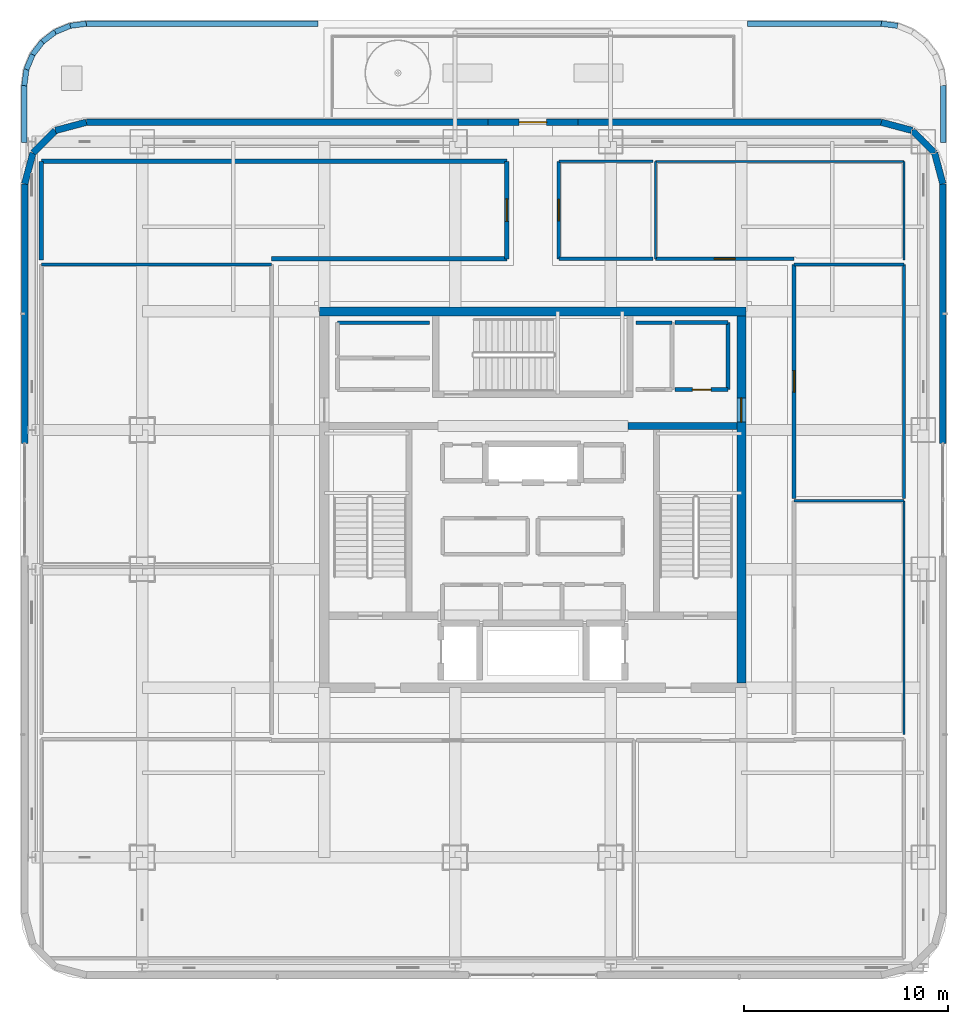
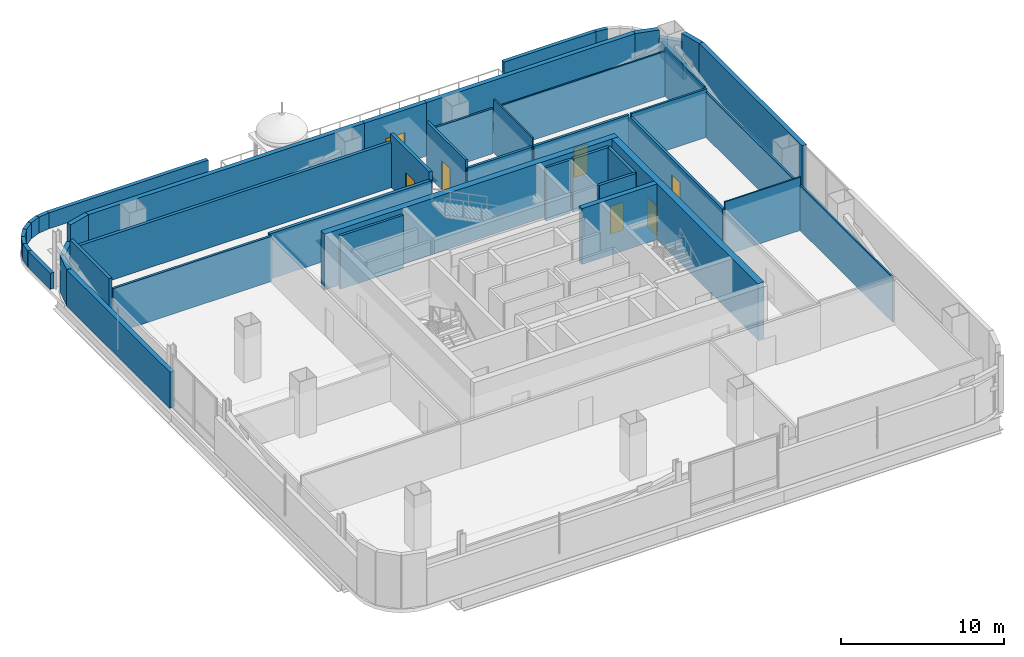
# One storey, part 14 of 28: 47 walls, 7 doors, 7 openings.
"""IFC4 building model written with IfcOpenShell, lengths in metres."""

import ifcopenshell
import ifcopenshell.guid

model = None  # the IFC model being written
_history = None  # IfcOwnerHistory: only IFC2X3 demands one
_inside = {}  # id of a spatial element -> (the spatial element, [elements in it])
_under = {}  # id of a project, library or spatial element -> (it, [spatial elements below it])
_declared = {}  # id of a project -> (the project, [libraries it declares])
_typed = {}  # id of a type object -> (the type object, [elements of that type])
_made_of = {}  # id of a material, layer set ... -> (it, [elements and type objects made of it])


def new_model(schema):
    """Start an empty IFC model of exactly this schema.

    Asked for "IFC4X3", IfcOpenShell would pick the latest addendum, in which some entities
    have other attributes; the version numbers below select the first issue.
    IFC2X3 requires an IfcOwnerHistory on every rooted entity: one is made here for all.
    """
    global model, _history
    if schema == "IFC4X3":
        model = ifcopenshell.file(schema_version=(4, 3, 0, 0))
    else:
        model = ifcopenshell.file(schema=schema)
    _inside.clear()
    _under.clear()
    _declared.clear()
    _typed.clear()
    _made_of.clear()
    _history = None
    if model.schema == "IFC2X3":
        org = make("IfcOrganization", Name="unknown")
        user = make(
            "IfcPersonAndOrganization",
            ThePerson=make("IfcPerson", FamilyName="unknown"),
            TheOrganization=org,
        )
        app = make(
            "IfcApplication",
            ApplicationDeveloper=org,
            Version="unknown",
            ApplicationFullName="unknown",
            ApplicationIdentifier="unknown",
        )
        _history = make(
            "IfcOwnerHistory",
            OwningUser=user,
            OwningApplication=app,
            ChangeAction="ADDED",
            CreationDate=0,
        )
    return model


def make(cls, **values):
    """One entity of the class cls with the attributes given. An attribute that is None is left unset."""
    return model.create_entity(
        cls, **{name: value for name, value in values.items() if value is not None}
    )


def rooted(cls, **values):
    """An entity with a GlobalId (a new one), such as an element, a storey or a relation."""
    return make(cls, GlobalId=ifcopenshell.guid.new(), OwnerHistory=_history, **values)


def si_unit(unit_type, name, prefix=None):
    """IfcSIUnit, for example si_unit("LENGTHUNIT", "METRE", prefix="MILLI")."""
    return make("IfcSIUnit", UnitType=unit_type, Prefix=prefix, Name=name)


def assignment(units):
    """IfcUnitAssignment: the units of a project."""
    return None if units is None else make("IfcUnitAssignment", Units=units)


def point(xyz):
    """IfcCartesianPoint."""
    return None if xyz is None else make("IfcCartesianPoint", Coordinates=xyz)


def direction(xyz):
    """IfcDirection."""
    return None if xyz is None else make("IfcDirection", DirectionRatios=xyz)


def frame(location, z_axis=None, x_axis=None):
    """IfcAxis2Placement3D, a coordinate frame: its origin and axes. An axis left out is left unset."""
    return make(
        "IfcAxis2Placement3D",
        Location=point(location),
        Axis=direction(z_axis),
        RefDirection=direction(x_axis),
    )


def frame_2d(location, x_axis=None):
    """IfcAxis2Placement2D, a coordinate frame in the plane: its origin and x axis."""
    return make(
        "IfcAxis2Placement2D", Location=point(location), RefDirection=direction(x_axis)
    )


def origin():
    """The frame at (0, 0, 0) with its axes left unset."""
    return frame((0.0, 0.0, 0.0))


def place(relative_to, where):
    """IfcLocalPlacement: puts the frame where relative to a parent placement (None: the world)."""
    return make(
        "IfcLocalPlacement", PlacementRelTo=relative_to, RelativePlacement=where
    )


def context(
    kind, dimensions, precision=None, world=None, true_north=None, identifier=None
):
    """IfcGeometricRepresentationContext, for example the 3D "Model" context."""
    return make(
        "IfcGeometricRepresentationContext",
        ContextIdentifier=identifier,
        ContextType=kind,
        CoordinateSpaceDimension=dimensions,
        Precision=precision,
        WorldCoordinateSystem=world,
        TrueNorth=true_north,
    )


def subcontext(parent, identifier, kind, view, scale=None):
    """IfcGeometricRepresentationSubContext, for example "Body" below "Model"."""
    return make(
        "IfcGeometricRepresentationSubContext",
        ContextIdentifier=identifier,
        ContextType=kind,
        ParentContext=parent,
        TargetScale=scale,
        TargetView=view,
    )


def project(units=None, contexts=None):
    """IfcProject with its units and contexts."""
    return rooted(
        "IfcProject",
        Name="project",
        RepresentationContexts=contexts,
        UnitsInContext=assignment(units),
    )


def spatial(cls, under=None, at=None, **own):
    """A site, building, storey or space (cls), placed at a placement, below another one or the project."""
    s = rooted(cls, ObjectPlacement=at, **own)
    if under is not None:
        _under.setdefault(under.id(), (under, []))[1].append(s)
    return s


def profile(cls, at=None, kind="AREA", **sizes):
    """A parametric profile (cls). Its sizes go by their IFC names, for example OverallWidth=200.0."""
    return make(cls, ProfileType=kind, Position=at, **sizes)


def rectangle(**sizes):
    """IfcRectangleProfileDef."""
    return profile("IfcRectangleProfileDef", **sizes)


def extrude(swept, where, along, depth):
    """IfcExtrudedAreaSolid: the profile swept, set in the frame where, extruded along a direction by depth."""
    return make(
        "IfcExtrudedAreaSolid",
        SweptArea=swept,
        Position=where,
        ExtrudedDirection=direction(along),
        Depth=depth,
    )


def shape(context_of_items, identifier, shape_type, items):
    """IfcShapeRepresentation: the items that make up one representation, for example the "Body"."""
    return make(
        "IfcShapeRepresentation",
        ContextOfItems=context_of_items,
        RepresentationIdentifier=identifier,
        RepresentationType=shape_type,
        Items=items,
    )


def material(Name=None, Category=None):
    """IfcMaterial."""
    return make("IfcMaterial", Name=Name, Category=Category)


def layer(
    of_material, thickness, ventilated=None, Name=None, Category=None, Priority=None
):
    """IfcMaterialLayer: one layer of a wall or slab, of a material (None: an air gap)."""
    return make(
        "IfcMaterialLayer",
        Material=of_material,
        LayerThickness=thickness,
        IsVentilated=ventilated,
        Name=Name,
        Category=Category,
        Priority=Priority,
    )


def layer_set(layers, Name=None):
    """IfcMaterialLayerSet."""
    return make("IfcMaterialLayerSet", MaterialLayers=layers, LayerSetName=Name)


def made_of(thing, what):
    """Note that an element or type object is made of a material, layer set ...; save() writes the relation."""
    if what is not None:
        _made_of.setdefault(what.id(), (what, []))[1].append(thing)
    return thing


def type_object(cls, material=None, **own):
    """A type object (cls), such as IfcWallType, which elements share."""
    return made_of(rooted(cls, **own), material)


def element(
    cls,
    number,
    at=None,
    inside=None,
    cuts=None,
    type_object=None,
    material=None,
    context=None,
    identifier="Body",
    shape_type=None,
    held_by="IfcProductDefinitionShape",
    body=None,
    shapes=None,
    **own,
):
    """One element of the class cls, such as IfcWall. Its Tag is "e" and its number.

    at: its placement. inside: the storey or other place that contains it. cuts: it is an
    opening in that element (IfcRelVoidsElement). A single representation is given by context,
    identifier, shape_type and body (its items); several are given by shapes. held_by: the class
    of the entity that holds the representations. save() writes the other relations.
    """
    e = rooted(cls, Tag="e%d" % number, ObjectPlacement=at, **own)
    if body is not None:
        shapes = [shape(context, identifier, shape_type, body)]
    if shapes is not None:
        e.Representation = make(held_by, Representations=shapes)
    if inside is not None:
        _inside.setdefault(inside.id(), (inside, []))[1].append(e)
    if cuts is not None:
        rooted(
            "IfcRelVoidsElement", RelatingBuildingElement=cuts, RelatedOpeningElement=e
        )
    if type_object is not None:
        _typed.setdefault(type_object.id(), (type_object, []))[1].append(e)
    return made_of(e, material)


def fill(opening, filler):
    """IfcRelFillsElement: the door or window that sits in an opening."""
    return rooted(
        "IfcRelFillsElement",
        RelatingOpeningElement=opening,
        RelatedBuildingElement=filler,
    )


def aggregate(whole, parts):
    """IfcRelAggregates: a whole, such as a stair, and the parts it consists of."""
    return rooted("IfcRelAggregates", RelatingObject=whole, RelatedObjects=parts)


def save(model, path):
    """Write the relations noted so far, then the file.

    IfcRelAggregates (storeys below a building ...), IfcRelContainedInSpatialStructure (elements
    in a storey), IfcRelDefinesByType, IfcRelAssociatesMaterial and IfcRelDeclares: one each for
    every whole, place, type object, material and project.
    """
    for whole, parts in _under.values():
        aggregate(whole, parts)
    for where, things in _inside.values():
        rooted(
            "IfcRelContainedInSpatialStructure",
            RelatedElements=things,
            RelatingStructure=where,
        )
    for kind, things in _typed.values():
        rooted("IfcRelDefinesByType", RelatedObjects=things, RelatingType=kind)
    for what, things in _made_of.values():
        rooted("IfcRelAssociatesMaterial", RelatedObjects=things, RelatingMaterial=what)
    for by, libraries in _declared.values():
        rooted("IfcRelDeclares", RelatingContext=by, RelatedDefinitions=libraries)
    model.write(path)


model = new_model("IFC4")

# Units and contexts
model_context = context("Model", 3, precision=1e-05, world=origin(), true_north=direction((0.0, 1.0)))
body_context = subcontext(model_context, "Body", "Model", "MODEL_VIEW")
ifc_project = project(units=[si_unit("LENGTHUNIT", "METRE"), si_unit("AREAUNIT", "SQUARE_METRE"), si_unit("VOLUMEUNIT", "CUBIC_METRE"), si_unit("PLANEANGLEUNIT", "RADIAN"), si_unit("MASSUNIT", "GRAM", prefix="KILO")], contexts=[model_context])

# Site, building, storey
site_placement = place(None, origin())
site = spatial("IfcSite", under=ifc_project, at=site_placement, CompositionType="ELEMENT")
building_placement = place(site_placement, origin())
building = spatial("IfcBuilding", under=site, at=building_placement, Name="Punatoya Terracotta Tower", CompositionType="ELEMENT")
storey_placement = place(building_placement, frame((0.0, 0.0, 317.39990234375)))
storey = spatial("IfcBuildingStorey", under=building, at=storey_placement, Name="L75", CompositionType="ELEMENT", Elevation=317.39990234375)

# Wall
ifc_material_1 = material(Name="Concrete C50/60", Category="concrete")
ifc_layer_1 = layer(ifc_material_1, 0.449951171875)
ifc_layer_set_1 = layer_set([ifc_layer_1], Name="Concrete C50/60")
wall_type_1 = type_object("IfcWallType", Name="WL-COR-450", PredefinedType="SHEAR", material=ifc_layer_set_1)
wall_1_placement = place(storey_placement, frame((-10.425048828125, 9.199951171875, 0.0), z_axis=(0.0, 0.0, 1.0), x_axis=(1.0, 0.0, 0.0)))
element("IfcWall", 1, at=wall_1_placement, inside=storey, type_object=wall_type_1, Name="L75 Core Shear Wall N", PredefinedType="SHEAR", context=body_context, shape_type="SweptSolid", body=[
    extrude(rectangle(XDim=20.85009765625, YDim=0.449951171875, at=frame_2d((10.425048828125, 0.0))), origin(), (0.0, 0.0, 1.0), 4.2001953125),
])

# Wall, opening, door
wall_2_placement = place(storey_placement, frame((10.199951171875, 8.97509765625, 0.0), z_axis=(0.0, 0.0, 1.0), x_axis=(0.0, -1.0, 0.0)))
wall_2 = element("IfcWall", 2, at=wall_2_placement, inside=storey, type_object=wall_type_1, Name="L75 Core Shear Wall E", PredefinedType="SHEAR", context=body_context, shape_type="SweptSolid", body=[
    extrude(rectangle(XDim=17.9501953125, YDim=0.449951171875, at=frame_2d((8.97509765625, 0.0))), origin(), (0.0, 0.0, 1.0), 4.2001953125),
])
opening_1_placement = place(wall_2_placement, frame((4.0048828125, 0.0, 0.0)))
opening_1 = element("IfcOpeningElement", 3, at=opening_1_placement, cuts=wall_2, Name="Opening SD-01", PredefinedType="OPENING", context=body_context, shape_type="SweptSolid", body=[
    extrude(rectangle(XDim=1.179931640625, YDim=2.199951171875, at=frame_2d((0.58984375, 1.10009765625))), frame((0.0, 0.23486328125, 0.0), z_axis=(0.0, -1.0, 0.0), x_axis=(1.0, 0.0, 0.0)), (0.0, 0.0, 1.0), 0.469970703125),
])
ifc_material_2 = material(Name="Galvanised Steel Pressurized Stair Fire Door", Category="steel")
door_type_1 = type_object("IfcDoorType", Name="DR-STR-1180", OperationType="NOTDEFINED", PredefinedType="DOOR", material=ifc_material_2)
door_1_placement = place(opening_1_placement, origin())
door_1 = element("IfcDoor", 4, at=door_1_placement, inside=storey, type_object=door_type_1, Name="L75 Central Lift Lobby East Fire Door", OperationType="SINGLE_SWING_RIGHT", OverallHeight=2.199951171875, OverallWidth=1.179931640625, PredefinedType="DOOR", context=body_context, shape_type="SweptSolid", body=[
    extrude(rectangle(XDim=1.179931640625, YDim=2.199951171875, at=frame_2d((0.58984375, 1.10009765625))), frame((0.0, 0.02490234375, 0.0), z_axis=(0.0, -1.0, 0.0), x_axis=(1.0, 0.0, 0.0)), (0.0, 0.0, 1.0), 0.050048828125),
])
fill(opening_1, door_1)

# Walls
ifc_material_3 = material(Name="Gypsum Fireboard + Steel Stud", Category="steel")
ifc_layer_2 = layer(ifc_material_3, 0.179931640625)
ifc_layer_set_2 = layer_set([ifc_layer_2], Name="Gypsum Fireboard + Steel Stud")
wall_type_2 = type_object("IfcWallType", Name="WL-CORR-180", PredefinedType="PARTITIONING", material=ifc_layer_set_2)
wall_3_placement = place(storey_placement, frame((-5.050048828125, 8.64990234375, 0.0), z_axis=(0.0, 0.0, 1.0), x_axis=(-1.0, 0.0, 0.0)))
element("IfcWall", 5, at=wall_3_placement, inside=storey, type_object=wall_type_2, Name="L75 West Core Copy Room Partition 25", PredefinedType="PARTITIONING", context=body_context, shape_type="SweptSolid", body=[
    extrude(rectangle(XDim=4.5, YDim=0.179931640625, at=frame_2d((2.25, 0.0))), origin(), (0.0, 0.0, 1.0), 4.0),
])
wall_4_placement = place(storey_placement, frame((6.800048828125, 8.64990234375, 0.0), z_axis=(0.0, 0.0, 1.0), x_axis=(-1.0, 0.0, 0.0)))
element("IfcWall", 6, at=wall_4_placement, inside=storey, type_object=wall_type_2, Name="L75 East Core Focus Office Partition 28", PredefinedType="PARTITIONING", context=body_context, shape_type="SweptSolid", body=[
    extrude(rectangle(XDim=1.75, YDim=0.179931640625, at=frame_2d((0.875, 0.0))), origin(), (0.0, 0.0, 1.0), 4.0),
])

# Wall, opening, door
wall_5_placement = place(storey_placement, frame((12.77001953125, 0.06005859375, 0.0), z_axis=(0.0, 0.0, 1.0), x_axis=(0.0, 1.0, 0.0)))
wall_5 = element("IfcWall", 7, at=wall_5_placement, inside=storey, type_object=wall_type_2, Name="L75 Acoustic Wellness Room Partition 53", PredefinedType="PARTITIONING", context=body_context, shape_type="SweptSolid", body=[
    extrude(rectangle(XDim=11.429931640625, YDim=0.179931640625, at=frame_2d((5.71484375, 0.0))), origin(), (0.0, 0.0, 1.0), 3.39404296875),
])
opening_2_placement = place(wall_5_placement, frame((5.18994140625, 0.0, 0.0)))
opening_2 = element("IfcOpeningElement", 8, at=opening_2_placement, cuts=wall_5, Name="Opening OD-01", PredefinedType="OPENING", context=body_context, shape_type="SweptSolid", body=[
    extrude(rectangle(XDim=1.050048828125, YDim=2.199951171875, at=frame_2d((0.52490234375, 1.10009765625))), frame((0.0, 0.099853515625, 0.0), z_axis=(0.0, -1.0, 0.0), x_axis=(1.0, 0.0, 0.0)), (0.0, 0.0, 1.0), 0.199951171875),
])
ifc_material_4 = material(Name="Bengal Teak Solid-Core Leaf")
door_type_2 = type_object("IfcDoorType", Name="DR-OFF-1050", OperationType="NOTDEFINED", PredefinedType="DOOR", material=ifc_material_4)
door_2_placement = place(opening_2_placement, origin())
door_2 = element("IfcDoor", 9, at=door_2_placement, inside=storey, type_object=door_type_2, Name="L75 Acoustic Wellness Room Door", OperationType="SINGLE_SWING_LEFT", OverallHeight=2.199951171875, OverallWidth=1.050048828125, PredefinedType="DOOR", context=body_context, shape_type="SweptSolid", body=[
    extrude(rectangle(XDim=1.050048828125, YDim=2.199951171875, at=frame_2d((0.52490234375, 1.10009765625))), frame((0.0, 0.02490234375, 0.0), z_axis=(0.0, -1.0, 0.0), x_axis=(1.0, 0.0, 0.0)), (0.0, 0.0, 1.0), 0.050048828125),
])
fill(opening_2, door_2)

wall_6_placement = place(storey_placement, frame((12.77001953125, 11.77001953125, 0.0), z_axis=(0.0, 0.0, 1.0), x_axis=(-1.0, 0.0, 0.0)))
wall_6 = element("IfcWall", 10, at=wall_6_placement, inside=storey, type_object=wall_type_2, Name="L75 Editorial Conference Room Partition 58", PredefinedType="PARTITIONING", context=body_context, shape_type="SweptSolid", body=[
    extrude(rectangle(XDim=6.776123046875, YDim=0.179931640625, at=frame_2d((3.38818359375, 0.0))), origin(), (0.0, 0.0, 1.0), 3.39404296875),
])
opening_3_placement = place(wall_6_placement, frame((2.8779296875, 0.0, 0.0)))
opening_3 = element("IfcOpeningElement", 11, at=opening_3_placement, cuts=wall_6, Name="Opening MD-01", PredefinedType="OPENING", context=body_context, shape_type="SweptSolid", body=[
    extrude(rectangle(XDim=1.02001953125, YDim=2.199951171875, at=frame_2d((0.510009765625, 1.10009765625))), frame((0.0, 0.099853515625, 0.0), z_axis=(0.0, -1.0, 0.0), x_axis=(1.0, 0.0, 0.0)), (0.0, 0.0, 1.0), 0.199951171875),
])
ifc_material_5 = material(Name="Aluminium + Acoustic Glass Leaf", Category="aluminium")
door_type_3 = type_object("IfcDoorType", Name="DR-MTG-1020", OperationType="NOTDEFINED", PredefinedType="DOOR", material=ifc_material_5)
door_3_placement = place(opening_3_placement, origin())
door_3 = element("IfcDoor", 12, at=door_3_placement, inside=storey, type_object=door_type_3, Name="L75 Editorial Conference Room Door", OperationType="SINGLE_SWING_LEFT", OverallHeight=2.199951171875, OverallWidth=1.02001953125, PredefinedType="DOOR", context=body_context, shape_type="SweptSolid", body=[
    extrude(rectangle(XDim=1.02001953125, YDim=2.199951171875, at=frame_2d((0.510009765625, 1.10009765625))), frame((0.0, 0.02490234375, 0.0), z_axis=(0.0, -1.0, 0.0), x_axis=(1.0, 0.0, 0.0)), (0.0, 0.0, 1.0), 0.050048828125),
])
fill(opening_3, door_3)

wall_7_placement = place(storey_placement, frame((1.27001953125, 11.77001953125, 0.0), z_axis=(0.0, 0.0, 1.0), x_axis=(0.0, 1.0, 0.0)))
wall_7 = element("IfcWall", 13, at=wall_7_placement, inside=storey, type_object=wall_type_2, Name="L75 Client Briefing Office Partition 62", PredefinedType="PARTITIONING", context=body_context, shape_type="SweptSolid", body=[
    extrude(rectangle(XDim=4.77001953125, YDim=0.179931640625, at=frame_2d((2.385009765625, 0.0))), origin(), (0.0, 0.0, 1.0), 4.0),
])
opening_4_placement = place(wall_7_placement, frame((1.860107421875, 0.0, 0.0)))
opening_4 = element("IfcOpeningElement", 14, at=opening_4_placement, cuts=wall_7, Name="Opening OD-01", PredefinedType="OPENING", context=body_context, shape_type="SweptSolid", body=[
    extrude(rectangle(XDim=1.050048828125, YDim=2.199951171875, at=frame_2d((0.52490234375, 1.10009765625))), frame((0.0, 0.099853515625, 0.0), z_axis=(0.0, -1.0, 0.0), x_axis=(1.0, 0.0, 0.0)), (0.0, 0.0, 1.0), 0.199951171875),
])
door_4_placement = place(opening_4_placement, origin())
door_4 = element("IfcDoor", 15, at=door_4_placement, inside=storey, type_object=door_type_2, Name="L75 Client Briefing Office Door", OperationType="SINGLE_SWING_RIGHT", OverallHeight=2.199951171875, OverallWidth=1.050048828125, PredefinedType="DOOR", context=body_context, shape_type="SweptSolid", body=[
    extrude(rectangle(XDim=1.050048828125, YDim=2.199951171875, at=frame_2d((0.52490234375, 1.10009765625))), frame((0.0, 0.02490234375, 0.0), z_axis=(0.0, -1.0, 0.0), x_axis=(1.0, 0.0, 0.0)), (0.0, 0.0, 1.0), 0.050048828125),
])
fill(opening_4, door_4)

# Walls
wall_8_placement = place(storey_placement, frame((5.8740234375, 11.77001953125, 0.0), z_axis=(0.0, 0.0, 1.0), x_axis=(-1.0, 0.0, 0.0)))
element("IfcWall", 16, at=wall_8_placement, inside=storey, type_object=wall_type_2, Name="L75 Client Briefing Office Partition 64", PredefinedType="PARTITIONING", context=body_context, shape_type="SweptSolid", body=[
    extrude(rectangle(XDim=4.60400390625, YDim=0.179931640625, at=frame_2d((2.302001953125, 0.0))), origin(), (0.0, 0.0, 1.0), 3.39404296875),
])
ifc_material_6 = material(Name="Precast concrete C40/50", Category="concrete")
ifc_layer_3 = layer(ifc_material_6, 0.320068359375)
ifc_layer_set_3 = layer_set([ifc_layer_3], Name="Precast concrete C40/50")
wall_type_3 = type_object("IfcWallType", Name="WL-EXT-320", PredefinedType="SOLIDWALL", material=ifc_layer_set_3)
wall_9_placement = place(storey_placement, frame((20.050048828125, 2.75, 0.0), z_axis=(0.0, 0.0, 1.0), x_axis=(0.0, 1.0, 0.0)))
element("IfcWall", 17, at=wall_9_placement, inside=storey, type_object=wall_type_3, Name="L75 Terracotta Braced Facade Wall E2", PredefinedType="SOLIDWALL", context=body_context, shape_type="SweptSolid", body=[
    extrude(rectangle(XDim=12.68701171875, YDim=0.320068359375, at=frame_2d((6.343505859375, 0.0))), origin(), (0.0, 0.0, 1.0), 4.0),
])
wall_10_placement = place(storey_placement, frame((20.050048828125, 15.43701171875, 0.0), z_axis=(0.0, 0.0, 1.0), x_axis=(-0.257847112249, 0.966185730957, 0.0)))
element("IfcWall", 18, at=wall_10_placement, inside=storey, type_object=wall_type_3, Name="L75 Rounded Terracotta Corner Pier 06", PredefinedType="SOLIDWALL", context=body_context, shape_type="SweptSolid", body=[
    extrude(rectangle(XDim=1.565185546875, YDim=0.320068359375, at=frame_2d((0.78271484375, 0.0))), origin(), (0.0, 0.0, 1.0), 4.0),
])
wall_11_placement = place(storey_placement, frame((19.646484375, 16.94921875, 0.0), z_axis=(0.0, 0.0, 1.0), x_axis=(-0.707106781187, 0.707106781187, 0.0)))
element("IfcWall", 19, at=wall_11_placement, inside=storey, type_object=wall_type_3, Name="L75 Rounded Terracotta Corner Pier 07", PredefinedType="SOLIDWALL", context=body_context, shape_type="SweptSolid", body=[
    extrude(rectangle(XDim=1.552001953125, YDim=0.320068359375, at=frame_2d((0.77587890625, 0.0))), origin(), (0.0, 0.0, 1.0), 3.39404296875),
])
wall_12_placement = place(storey_placement, frame((18.549072265625, 18.046630859375, 0.0), z_axis=(0.0, 0.0, 1.0), x_axis=(-0.966224582397, 0.257701486942, 0.0)))
element("IfcWall", 20, at=wall_12_placement, inside=storey, type_object=wall_type_3, Name="L75 Rounded Terracotta Corner Pier 08", PredefinedType="SOLIDWALL", context=body_context, shape_type="SweptSolid", body=[
    extrude(rectangle(XDim=1.565185546875, YDim=0.320068359375, at=frame_2d((0.78271484375, 0.0))), origin(), (0.0, 0.0, 1.0), 4.0),
])
wall_13_placement = place(storey_placement, frame((17.036865234375, 18.449951171875, 0.0), z_axis=(0.0, 0.0, 1.0), x_axis=(-1.0, 0.0, 0.0)))
element("IfcWall", 21, at=wall_13_placement, inside=storey, type_object=wall_type_3, Name="L75 Terracotta Braced Facade Wall N", PredefinedType="SOLIDWALL", context=body_context, shape_type="SweptSolid", body=[
    extrude(rectangle(XDim=14.8369140625, YDim=0.320068359375, at=frame_2d((7.41845703125, 0.0))), origin(), (0.0, 0.0, 1.0), 4.0),
])
wall_14_placement = place(storey_placement, frame((-2.199951171875, 18.449951171875, 0.0), z_axis=(0.0, 0.0, 1.0), x_axis=(-1.0, 0.0, 0.0)))
element("IfcWall", 22, at=wall_14_placement, inside=storey, type_object=wall_type_3, Name="L75 Terracotta Braced Facade Wall N", PredefinedType="SOLIDWALL", context=body_context, shape_type="SweptSolid", body=[
    extrude(rectangle(XDim=19.636962890625, YDim=0.320068359375, at=frame_2d((9.818359375, 0.0))), origin(), (0.0, 0.0, 1.0), 4.0),
])

# Wall, opening, door
wall_15_placement = place(storey_placement, frame((2.199951171875, 18.449951171875, 0.0), z_axis=(0.0, 0.0, 1.0), x_axis=(-1.0, 0.0, 0.0)))
wall_15 = element("IfcWall", 23, at=wall_15_placement, inside=storey, type_object=wall_type_3, Name="L75 Sky-Terrace Portal Wall N", PredefinedType="SOLIDWALL", context=body_context, shape_type="SweptSolid", body=[
    extrude(rectangle(XDim=4.39990234375, YDim=0.320068359375, at=frame_2d((2.199951171875, 0.0))), origin(), (0.0, 0.0, 1.0), 4.0),
])
opening_5_placement = place(wall_15_placement, frame((1.52490234375, 0.0, 0.0)))
opening_5 = element("IfcOpeningElement", 24, at=opening_5_placement, cuts=wall_15, Name="Opening TD-02", PredefinedType="OPENING", context=body_context, shape_type="SweptSolid", body=[
    extrude(rectangle(XDim=1.35009765625, YDim=2.300048828125, at=frame_2d((0.675048828125, 1.14990234375))), frame((0.0, 0.169921875, 0.0), z_axis=(0.0, -1.0, 0.0), x_axis=(1.0, 0.0, 0.0)), (0.0, 0.0, 1.0), 0.340087890625),
])
ifc_material_7 = material(Name="Aluminium 6063-T6 + Low-E Glass", Category="aluminium")
door_type_4 = type_object("IfcDoorType", Name="DR-TER-1350", OperationType="NOTDEFINED", PredefinedType="DOOR", material=ifc_material_7)
door_5_placement = place(opening_5_placement, origin())
door_5 = element("IfcDoor", 25, at=door_5_placement, inside=storey, type_object=door_type_4, Name="L75 Sky-Terrace Access Door N1", OperationType="SINGLE_SWING_LEFT", OverallHeight=2.300048828125, OverallWidth=1.35009765625, PredefinedType="DOOR", context=body_context, shape_type="SweptSolid", body=[
    extrude(rectangle(XDim=1.35009765625, YDim=2.300048828125, at=frame_2d((0.675048828125, 1.14990234375))), frame((0.0, 0.02490234375, 0.0), z_axis=(0.0, -1.0, 0.0), x_axis=(1.0, 0.0, 0.0)), (0.0, 0.0, 1.0), 0.050048828125),
])
fill(opening_5, door_5)

# Walls
wall_16_placement = place(storey_placement, frame((-21.8369140625, 18.449951171875, 0.0), z_axis=(0.0, 0.0, 1.0), x_axis=(-0.966224582397, -0.257701486942, 0.0)))
element("IfcWall", 26, at=wall_16_placement, inside=storey, type_object=wall_type_3, Name="L75 Rounded Terracotta Corner Pier 10", PredefinedType="SOLIDWALL", context=body_context, shape_type="SweptSolid", body=[
    extrude(rectangle(XDim=1.565185546875, YDim=0.320068359375, at=frame_2d((0.78271484375, 0.0))), origin(), (0.0, 0.0, 1.0), 4.0),
])
wall_17_placement = place(storey_placement, frame((-23.34912109375, 18.046630859375, 0.0), z_axis=(0.0, 0.0, 1.0), x_axis=(-0.707106781187, -0.707106781187, 0.0)))
element("IfcWall", 27, at=wall_17_placement, inside=storey, type_object=wall_type_3, Name="L75 Rounded Terracotta Corner Pier 11", PredefinedType="SOLIDWALL", context=body_context, shape_type="SweptSolid", body=[
    extrude(rectangle(XDim=1.552001953125, YDim=0.320068359375, at=frame_2d((0.77587890625, 0.0))), origin(), (0.0, 0.0, 1.0), 2.674072265625),
])
wall_18_placement = place(storey_placement, frame((-24.446533203125, 16.94921875, 0.0), z_axis=(0.0, 0.0, 1.0), x_axis=(-0.257847112249, -0.966185730957, 0.0)))
element("IfcWall", 28, at=wall_18_placement, inside=storey, type_object=wall_type_3, Name="L75 Rounded Terracotta Corner Pier 12", PredefinedType="SOLIDWALL", context=body_context, shape_type="SweptSolid", body=[
    extrude(rectangle(XDim=1.565185546875, YDim=0.320068359375, at=frame_2d((0.78271484375, 0.0))), origin(), (0.0, 0.0, 1.0), 2.714111328125),
])
wall_19_placement = place(storey_placement, frame((-24.85009765625, 15.43701171875, 0.0), z_axis=(0.0, 0.0, 1.0), x_axis=(0.0, -1.0, 0.0)))
element("IfcWall", 29, at=wall_19_placement, inside=storey, type_object=wall_type_3, Name="L75 Terracotta Braced Facade Wall W1", PredefinedType="SOLIDWALL", context=body_context, shape_type="SweptSolid", body=[
    extrude(rectangle(XDim=12.68701171875, YDim=0.320068359375, at=frame_2d((6.343505859375, 0.0))), origin(), (0.0, 0.0, 1.0), 2.714111328125),
])
ifc_material_8 = material(Name="Concrete C40/50", Category="concrete")
ifc_layer_4 = layer(ifc_material_8, 0.219970703125)
ifc_layer_set_4 = layer_set([ifc_layer_4], Name="Concrete C40/50")
wall_type_4 = type_object("IfcWallType", Name="WL-FIR-220", PredefinedType="SOLIDWALL", material=ifc_layer_set_4)
wall_20_placement = place(storey_placement, frame((-24.0400390625, 16.5400390625, 0.0), z_axis=(0.0, 0.0, 1.0), x_axis=(1.0, 0.0, 0.0)))
element("IfcWall", 30, at=wall_20_placement, inside=storey, type_object=wall_type_4, Name="L75 Model-Making Archive Partition 54", PredefinedType="SOLIDWALL", context=body_context, shape_type="SweptSolid", body=[
    extrude(rectangle(XDim=22.77001953125, YDim=0.219970703125, at=frame_2d((11.385009765625, 0.0))), origin(), (0.0, 0.0, 1.0), 3.39404296875),
])

# Wall, opening, door
wall_21_placement = place(storey_placement, frame((-1.27001953125, 16.5400390625, 0.0), z_axis=(0.0, 0.0, 1.0), x_axis=(0.0, -1.0, 0.0)))
wall_21 = element("IfcWall", 31, at=wall_21_placement, inside=storey, type_object=wall_type_4, Name="L75 Model-Making Archive Partition 55", PredefinedType="SOLIDWALL", context=body_context, shape_type="SweptSolid", body=[
    extrude(rectangle(XDim=4.77001953125, YDim=0.219970703125, at=frame_2d((2.385009765625, 0.0))), origin(), (0.0, 0.0, 1.0), 4.0),
])
opening_6_placement = place(wall_21_placement, frame((1.8349609375, 0.0, 0.0)))
opening_6 = element("IfcOpeningElement", 32, at=opening_6_placement, cuts=wall_21, Name="Opening FD-P1", PredefinedType="OPENING", context=body_context, shape_type="SweptSolid", body=[
    extrude(rectangle(XDim=1.10009765625, YDim=2.199951171875, at=frame_2d((0.550048828125, 1.10009765625))), frame((0.0, 0.119873046875, 0.0), z_axis=(0.0, -1.0, 0.0), x_axis=(1.0, 0.0, 0.0)), (0.0, 0.0, 1.0), 0.239990234375),
])
ifc_material_9 = material(Name="Galvanised Steel Plant Fire Door", Category="steel")
door_type_5 = type_object("IfcDoorType", Name="DR-PLT-1100", OperationType="NOTDEFINED", PredefinedType="DOOR", material=ifc_material_9)
door_6_placement = place(opening_6_placement, origin())
door_6 = element("IfcDoor", 33, at=door_6_placement, inside=storey, type_object=door_type_5, Name="L75 Model-Making Archive Fire Door", OperationType="SINGLE_SWING_RIGHT", OverallHeight=2.199951171875, OverallWidth=1.10009765625, PredefinedType="DOOR", context=body_context, shape_type="SweptSolid", body=[
    extrude(rectangle(XDim=1.10009765625, YDim=2.199951171875, at=frame_2d((0.550048828125, 1.10009765625))), frame((0.0, 0.02490234375, 0.0), z_axis=(0.0, -1.0, 0.0), x_axis=(1.0, 0.0, 0.0)), (0.0, 0.0, 1.0), 0.050048828125),
])
fill(opening_6, door_6)

# Walls
wall_22_placement = place(storey_placement, frame((-1.27001953125, 11.77001953125, 0.0), z_axis=(0.0, 0.0, 1.0), x_axis=(-1.0, 0.0, 0.0)))
element("IfcWall", 34, at=wall_22_placement, inside=storey, type_object=wall_type_4, Name="L75 Model-Making Archive Partition 56", PredefinedType="SOLIDWALL", context=body_context, shape_type="SweptSolid", body=[
    extrude(rectangle(XDim=11.5, YDim=0.219970703125, at=frame_2d((5.75, 0.0))), origin(), (0.0, 0.0, 1.0), 3.39404296875),
])
wall_23_placement = place(storey_placement, frame((-24.0400390625, 11.7099609375, 0.0), z_axis=(0.0, 0.0, 1.0), x_axis=(0.0, 1.0, 0.0)))
element("IfcWall", 35, at=wall_23_placement, inside=storey, type_object=wall_type_4, Name="L75 Model-Making Archive Partition 57", PredefinedType="SOLIDWALL", context=body_context, shape_type="SweptSolid", body=[
    extrude(rectangle(XDim=4.830078125, YDim=0.219970703125, at=frame_2d((2.4150390625, 0.0))), origin(), (0.0, 0.0, 1.0), 4.0),
])
ifc_material_10 = material(Name="Aluminium Framed Acoustic Glass Partition", Category="aluminium")
ifc_layer_5 = layer(ifc_material_10, 0.10009765625)
ifc_layer_set_5 = layer_set([ifc_layer_5], Name="Aluminium Framed Acoustic Glass Partition")
wall_type_5 = type_object("IfcWallType", Name="WL-GLZ-100", PredefinedType="PARTITIONING", material=ifc_layer_set_5)
wall_24_placement = place(storey_placement, frame((12.77001953125, -0.06005859375, 0.0), z_axis=(0.0, 0.0, 1.0), x_axis=(1.0, 0.0, 0.0)))
element("IfcWall", 36, at=wall_24_placement, inside=storey, type_object=wall_type_5, Name="L75 Press Briefing Room Partition 45", PredefinedType="PARTITIONING", context=body_context, shape_type="SweptSolid", body=[
    extrude(rectangle(XDim=5.369873046875, YDim=0.10009765625, at=frame_2d((2.68505859375, 0.0))), origin(), (0.0, 0.0, 1.0), 4.0),
])
wall_25_placement = place(storey_placement, frame((18.139892578125, -0.06005859375, 0.0), z_axis=(0.0, 0.0, 1.0), x_axis=(0.0, -1.0, 0.0)))
element("IfcWall", 37, at=wall_25_placement, inside=storey, type_object=wall_type_5, Name="L75 Press Briefing Room Partition 46", PredefinedType="PARTITIONING", context=body_context, shape_type="SweptSolid", body=[
    extrude(rectangle(XDim=11.429931640625, YDim=0.10009765625, at=frame_2d((5.71484375, 0.0))), origin(), (0.0, 0.0, 1.0), 3.39404296875),
])
wall_26_placement = place(storey_placement, frame((5.993896484375, 11.77001953125, 0.0), z_axis=(0.0, 0.0, 1.0), x_axis=(0.0, 1.0, 0.0)))
element("IfcWall", 38, at=wall_26_placement, inside=storey, type_object=wall_type_5, Name="L75 Editorial Conference Room Partition 59", PredefinedType="PARTITIONING", context=body_context, shape_type="SweptSolid", body=[
    extrude(rectangle(XDim=4.77001953125, YDim=0.10009765625, at=frame_2d((2.385009765625, 0.0))), origin(), (0.0, 0.0, 1.0), 4.0),
])
wall_27_placement = place(storey_placement, frame((5.993896484375, 16.5400390625, 0.0), z_axis=(0.0, 0.0, 1.0), x_axis=(1.0, 0.0, 0.0)))
element("IfcWall", 39, at=wall_27_placement, inside=storey, type_object=wall_type_5, Name="L75 Editorial Conference Room Partition 60", PredefinedType="PARTITIONING", context=body_context, shape_type="SweptSolid", body=[
    extrude(rectangle(XDim=12.14599609375, YDim=0.10009765625, at=frame_2d((6.072998046875, 0.0))), origin(), (0.0, 0.0, 1.0), 3.39404296875),
])
wall_28_placement = place(storey_placement, frame((18.139892578125, 16.5400390625, 0.0), z_axis=(0.0, 0.0, 1.0), x_axis=(0.0, -1.0, 0.0)))
element("IfcWall", 40, at=wall_28_placement, inside=storey, type_object=wall_type_5, Name="L75 Editorial Conference Room Partition 61", PredefinedType="PARTITIONING", context=body_context, shape_type="SweptSolid", body=[
    extrude(rectangle(XDim=4.830078125, YDim=0.10009765625, at=frame_2d((2.4150390625, 0.0))), origin(), (0.0, 0.0, 1.0), 3.634033203125),
])
ifc_layer_6 = layer(ifc_material_8, 0.199951171875)
ifc_layer_set_6 = layer_set([ifc_layer_6], Name="Concrete C40/50")
wall_type_6 = type_object("IfcWallType", Name="WL-INT-200", PredefinedType="SOLIDWALL", material=ifc_layer_set_6)
wall_29_placement = place(storey_placement, frame((9.550048828125, 5.3798828125, 0.0), z_axis=(0.0, 0.0, 1.0), x_axis=(0.0, 1.0, 0.0)))
element("IfcWall", 41, at=wall_29_placement, inside=storey, type_object=wall_type_6, Name="L75 East Core Archive Partition 30", PredefinedType="SOLIDWALL", context=body_context, shape_type="SweptSolid", body=[
    extrude(rectangle(XDim=3.27001953125, YDim=0.199951171875, at=frame_2d((1.635009765625, 0.0))), origin(), (0.0, 0.0, 1.0), 4.0),
])
wall_30_placement = place(storey_placement, frame((9.550048828125, 8.64990234375, 0.0), z_axis=(0.0, 0.0, 1.0), x_axis=(-1.0, 0.0, 0.0)))
element("IfcWall", 42, at=wall_30_placement, inside=storey, type_object=wall_type_6, Name="L75 East Core Archive Partition 31", PredefinedType="SOLIDWALL", context=body_context, shape_type="SweptSolid", body=[
    extrude(rectangle(XDim=2.590087890625, YDim=0.199951171875, at=frame_2d((1.294921875, 0.0))), origin(), (0.0, 0.0, 1.0), 4.0),
])

# Wall, opening, door
wall_31_placement = place(storey_placement, frame((6.9599609375, 5.3798828125, 0.0), z_axis=(0.0, 0.0, 1.0), x_axis=(1.0, 0.0, 0.0)))
wall_31 = element("IfcWall", 43, at=wall_31_placement, inside=storey, type_object=wall_type_6, Name="L75 East Core Archive Partition 32", PredefinedType="SOLIDWALL", context=body_context, shape_type="SweptSolid", body=[
    extrude(rectangle(XDim=2.590087890625, YDim=0.199951171875, at=frame_2d((1.294921875, 0.0))), origin(), (0.0, 0.0, 1.0), 4.0),
])
opening_7_placement = place(wall_31_placement, frame((0.8349609375, 0.0, 0.0)))
opening_7 = element("IfcOpeningElement", 44, at=opening_7_placement, cuts=wall_31, Name="Opening FD-R1", PredefinedType="OPENING", context=body_context, shape_type="SweptSolid", body=[
    extrude(rectangle(XDim=0.919921875, YDim=2.10009765625, at=frame_2d((0.4599609375, 1.050048828125))), frame((0.0, 0.10986328125, 0.0), z_axis=(0.0, -1.0, 0.0), x_axis=(1.0, 0.0, 0.0)), (0.0, 0.0, 1.0), 0.219970703125),
])
ifc_material_11 = material(Name="Galvanised Steel Riser Fire Access Door", Category="steel")
door_type_6 = type_object("IfcDoorType", Name="DR-RSR-920", OperationType="NOTDEFINED", PredefinedType="DOOR", material=ifc_material_11)
door_7_placement = place(opening_7_placement, origin())
door_7 = element("IfcDoor", 45, at=door_7_placement, inside=storey, type_object=door_type_6, Name="L75 East Core Archive Fire Door", OperationType="SINGLE_SWING_LEFT", OverallHeight=2.10009765625, OverallWidth=0.919921875, PredefinedType="DOOR", context=body_context, shape_type="SweptSolid", body=[
    extrude(rectangle(XDim=0.919921875, YDim=2.10009765625, at=frame_2d((0.4599609375, 1.050048828125))), frame((0.0, 0.02490234375, 0.0), z_axis=(0.0, -1.0, 0.0), x_axis=(1.0, 0.0, 0.0)), (0.0, 0.0, 1.0), 0.050048828125),
])
fill(opening_7, door_7)

# Walls
ifc_material_12 = material(Name="Acoustic Gypsum + Steel Stud", Category="steel")
ifc_layer_7 = layer(ifc_material_12, 0.139892578125)
ifc_layer_set_7 = layer_set([ifc_layer_7], Name="Acoustic Gypsum + Steel Stud")
wall_type_7 = type_object("IfcWallType", Name="WL-OFF-140", PredefinedType="PARTITIONING", material=ifc_layer_set_7)
wall_32_placement = place(storey_placement, frame((12.77001953125, 11.489990234375, 0.0), z_axis=(0.0, 0.0, 1.0), x_axis=(1.0, 0.0, 0.0)))
element("IfcWall", 46, at=wall_32_placement, inside=storey, type_object=wall_type_7, Name="L75 Acoustic Wellness Room Partition 51", PredefinedType="PARTITIONING", context=body_context, shape_type="SweptSolid", body=[
    extrude(rectangle(XDim=5.369873046875, YDim=0.139892578125, at=frame_2d((2.68505859375, 0.0))), origin(), (0.0, 0.0, 1.0), 3.634033203125),
])
wall_33_placement = place(storey_placement, frame((18.139892578125, 11.489990234375, 0.0), z_axis=(0.0, 0.0, 1.0), x_axis=(0.0, -1.0, 0.0)))
element("IfcWall", 47, at=wall_33_placement, inside=storey, type_object=wall_type_7, Name="L75 Acoustic Wellness Room Partition 52", PredefinedType="PARTITIONING", context=body_context, shape_type="SweptSolid", body=[
    extrude(rectangle(XDim=11.429931640625, YDim=0.139892578125, at=frame_2d((5.71484375, 0.0))), origin(), (0.0, 0.0, 1.0), 3.39404296875),
])
wall_34_placement = place(storey_placement, frame((1.27001953125, 16.5400390625, 0.0), z_axis=(0.0, 0.0, 1.0), x_axis=(1.0, 0.0, 0.0)))
element("IfcWall", 48, at=wall_34_placement, inside=storey, type_object=wall_type_7, Name="L75 Client Briefing Office Partition 63", PredefinedType="PARTITIONING", context=body_context, shape_type="SweptSolid", body=[
    extrude(rectangle(XDim=4.60400390625, YDim=0.139892578125, at=frame_2d((2.302001953125, 0.0))), origin(), (0.0, 0.0, 1.0), 3.39404296875),
])
ifc_layer_8 = layer(ifc_material_6, 0.260009765625)
ifc_layer_set_8 = layer_set([ifc_layer_8], Name="Precast concrete C40/50")
wall_type_8 = type_object("IfcWallType", Name="WL-PAR-260", PredefinedType="PARAPET", material=ifc_layer_set_8)
wall_35_placement = place(storey_placement, frame((20.070068359375, 17.465087890625, 0.0), z_axis=(0.0, 0.0, 1.0), x_axis=(0.0, 1.0, 0.0)))
element("IfcWall", 49, at=wall_35_placement, inside=storey, type_object=wall_type_8, Name="L75 Roof Parapet Wall PAR-L75-RF-01", PredefinedType="PARAPET", context=body_context, shape_type="SweptSolid", body=[
    extrude(rectangle(XDim=2.773193359375, YDim=0.260009765625, at=frame_2d((1.38671875, 0.0))), origin(), (0.0, 0.0, 1.0), 1.2001953125),
])
wall_36_placement = place(storey_placement, frame((17.831298828125, 23.16552734375, 0.0), z_axis=(0.0, 0.0, 1.0), x_axis=(-0.991434550152, 0.130604489832, 0.0)))
element("IfcWall", 50, at=wall_36_placement, inside=storey, type_object=wall_type_8, Name="L75 Roof Parapet Wall PAR-L75-RF-07", PredefinedType="PARAPET", context=body_context, shape_type="SweptSolid", body=[
    extrude(rectangle(XDim=0.800048828125, YDim=0.260009765625, at=frame_2d((0.39990234375, 0.0))), origin(), (0.0, 0.0, 1.0), 1.2001953125),
])
wall_37_placement = place(storey_placement, frame((17.0380859375, 23.27001953125, 0.0), z_axis=(0.0, 0.0, 1.0), x_axis=(-1.0, 0.0, 0.0)))
element("IfcWall", 51, at=wall_37_placement, inside=storey, type_object=wall_type_8, Name="L75 Roof Parapet Wall PAR-L75-RF-08", PredefinedType="PARAPET", context=body_context, shape_type="SweptSolid", body=[
    extrude(rectangle(XDim=6.5380859375, YDim=0.260009765625, at=frame_2d((3.26904296875, 0.0))), origin(), (0.0, 0.0, 1.0), 1.2001953125),
])
wall_38_placement = place(storey_placement, frame((-10.5, 23.27001953125, 0.0), z_axis=(0.0, 0.0, 1.0), x_axis=(-1.0, 0.0, 0.0)))
element("IfcWall", 52, at=wall_38_placement, inside=storey, type_object=wall_type_8, Name="L75 Roof Parapet Wall PAR-L75-RF-09", PredefinedType="PARAPET", context=body_context, shape_type="SweptSolid", body=[
    extrude(rectangle(XDim=11.338134765625, YDim=0.260009765625, at=frame_2d((5.6689453125, 0.0))), origin(), (0.0, 0.0, 1.0), 1.2001953125),
])
wall_39_placement = place(storey_placement, frame((-21.838134765625, 23.27001953125, 0.0), z_axis=(0.0, 0.0, 1.0), x_axis=(-0.991429342672, -0.130644014367, 0.0)))
element("IfcWall", 53, at=wall_39_placement, inside=storey, type_object=wall_type_8, Name="L75 Roof Parapet Wall PAR-L75-RF-10", PredefinedType="PARAPET", context=body_context, shape_type="SweptSolid", body=[
    extrude(rectangle(XDim=0.7998046875, YDim=0.260009765625, at=frame_2d((0.39990234375, 0.0))), origin(), (0.0, 0.0, 1.0), 1.2001953125),
])
for number, where, z_axis, x_axis, name in (
    (54, (-22.631103515625, 23.16552734375, 0.0), (0.0, 0.0, 1.0), (-0.923899778896, -0.38263454961, 0.0), "L75 Roof Parapet Wall PAR-L75-RF-11"),
    (55, (-23.359130859375, 22.864013671875, 0.0), (0.0, 0.0, 1.0), (-0.793371954706, -0.608737169464, 0.0), "L75 Roof Parapet Wall PAR-L75-RF-12"),
):
    element("IfcWall", number, at=place(storey_placement, frame(where, z_axis=z_axis, x_axis=x_axis)), inside=storey, type_object=wall_type_8, Name=name, PredefinedType="PARAPET", context=body_context, shape_type="SweptSolid", body=[
        extrude(rectangle(XDim=0.7880859375, YDim=0.260009765625, at=frame_2d((0.39404296875, 0.0))), origin(), (0.0, 0.0, 1.0), 1.2001953125),
    ])
wall_40_placement = place(storey_placement, frame((-23.984375, 22.38427734375, 0.0), z_axis=(0.0, 0.0, 1.0), x_axis=(-0.608886809997, -0.793257116332, 0.0)))
element("IfcWall", 56, at=wall_40_placement, inside=storey, type_object=wall_type_8, Name="L75 Roof Parapet Wall PAR-L75-RF-13", PredefinedType="PARAPET", context=body_context, shape_type="SweptSolid", body=[
    extrude(rectangle(XDim=0.787841796875, YDim=0.260009765625, at=frame_2d((0.39404296875, 0.0))), origin(), (0.0, 0.0, 1.0), 1.2001953125),
])
wall_41_placement = place(storey_placement, frame((-24.464111328125, 21.75927734375, 0.0), z_axis=(0.0, 0.0, 1.0), x_axis=(-0.38263454961, -0.923899778896, 0.0)))
element("IfcWall", 57, at=wall_41_placement, inside=storey, type_object=wall_type_8, Name="L75 Roof Parapet Wall PAR-L75-RF-14", PredefinedType="PARAPET", context=body_context, shape_type="SweptSolid", body=[
    extrude(rectangle(XDim=0.7880859375, YDim=0.260009765625, at=frame_2d((0.39404296875, 0.0))), origin(), (0.0, 0.0, 1.0), 1.2001953125),
])
wall_42_placement = place(storey_placement, frame((-24.765625, 21.03125, 0.0), z_axis=(0.0, 0.0, 1.0), x_axis=(-0.130644014367, -0.991429342672, 0.0)))
element("IfcWall", 58, at=wall_42_placement, inside=storey, type_object=wall_type_8, Name="L75 Roof Parapet Wall PAR-L75-RF-15", PredefinedType="PARAPET", context=body_context, shape_type="SweptSolid", body=[
    extrude(rectangle(XDim=0.7998046875, YDim=0.260009765625, at=frame_2d((0.39990234375, 0.0))), origin(), (0.0, 0.0, 1.0), 1.2001953125),
])
wall_43_placement = place(storey_placement, frame((-24.8701171875, 20.23828125, 0.0), z_axis=(0.0, 0.0, 1.0), x_axis=(0.0, -1.0, 0.0)))
element("IfcWall", 59, at=wall_43_placement, inside=storey, type_object=wall_type_8, Name="L75 Roof Parapet Wall PAR-L75-RF-16", PredefinedType="PARAPET", context=body_context, shape_type="SweptSolid", body=[
    extrude(rectangle(XDim=2.773193359375, YDim=0.260009765625, at=frame_2d((1.38671875, 0.0))), origin(), (0.0, 0.0, 1.0), 1.2001953125),
])
ifc_layer_9 = layer(ifc_material_1, 0.35009765625)
ifc_layer_set_9 = layer_set([ifc_layer_9], Name="Concrete C50/60")
wall_type_9 = type_object("IfcWallType", Name="WL-SHF-350", PredefinedType="SOLIDWALL", material=ifc_layer_set_9)
wall_44_placement = place(storey_placement, frame((4.64990234375, 3.60009765625, 0.0), z_axis=(0.0, 0.0, 1.0), x_axis=(1.0, 0.0, 0.0)))
element("IfcWall", 60, at=wall_44_placement, inside=storey, type_object=wall_type_9, Name="L75 Core Web Wall CNW-R", PredefinedType="SOLIDWALL", context=body_context, shape_type="SweptSolid", body=[
    extrude(rectangle(XDim=5.3251953125, YDim=0.35009765625, at=frame_2d((2.66259765625, 0.0))), origin(), (0.0, 0.0, 1.0), 4.2001953125),
])
ifc_material_13 = material(Name="Masonry Blockwork + Ceramic Tile", Category="masonry")
ifc_layer_10 = layer(ifc_material_13, 0.159912109375)
ifc_layer_set_10 = layer_set([ifc_layer_10], Name="Masonry Blockwork + Ceramic Tile")
wall_type_10 = type_object("IfcWallType", Name="WL-WET-160", PredefinedType="PARTITIONING", material=ifc_layer_set_10)
wall_45_placement = place(storey_placement, frame((-24.0400390625, 11.489990234375, 0.0), z_axis=(0.0, 0.0, 1.0), x_axis=(1.0, 0.0, 0.0)))
element("IfcWall", 61, at=wall_45_placement, inside=storey, type_object=wall_type_10, Name="L75 Hospitality Tea Pantry Partition 48", PredefinedType="PARTITIONING", context=body_context, shape_type="SweptSolid", body=[
    extrude(rectangle(XDim=11.27001953125, YDim=0.159912109375, at=frame_2d((5.635009765625, 0.0))), origin(), (0.0, 0.0, 1.0), 3.39404296875),
])

save(model, "model.ifc")
